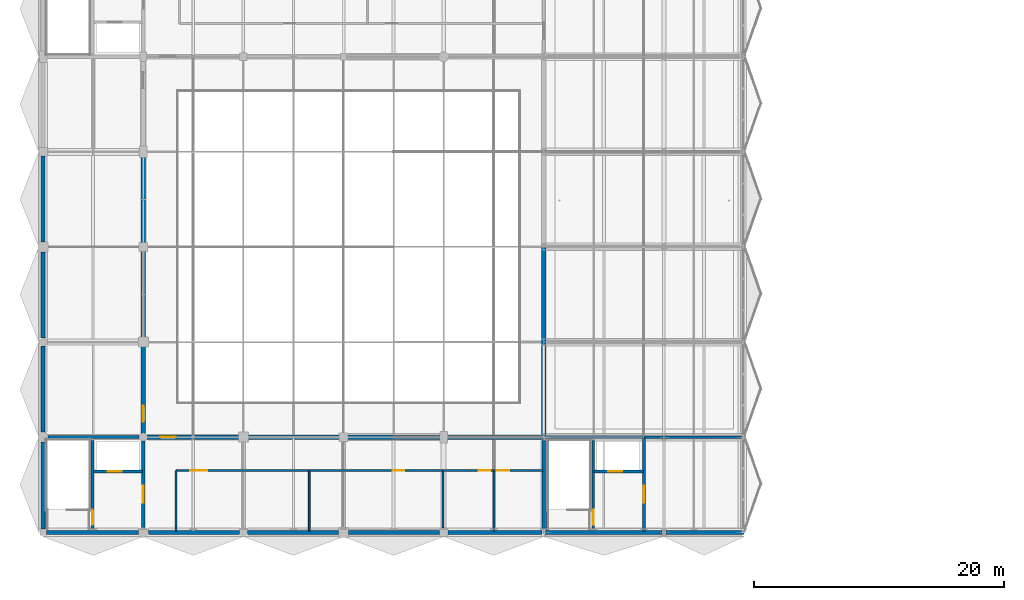
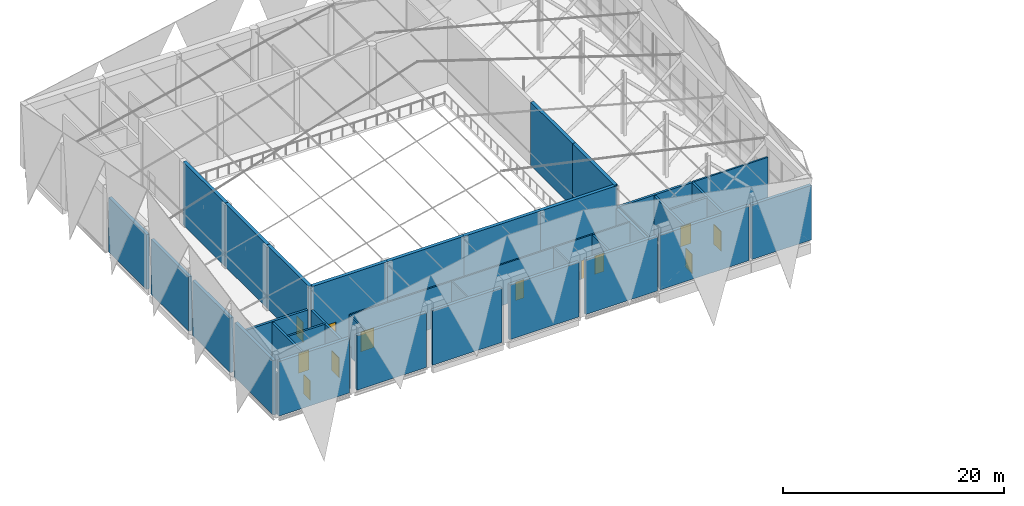
# One storey, part 32 of 46: 40 walls, 12 doors, 12 openings.
"""IFC4 building model written with IfcOpenShell, lengths in metres."""

from ifc_helpers import new_model, si_unit, direction, frame, frame_2d, origin, place, context, subcontext, project, spatial, rectangle, extrude, material, layer, layer_set, type_object, element, fill, save


model = new_model("IFC4")

# Units and contexts
model_context = context("Model", 3, precision=1e-05, world=origin(), true_north=direction((0.0, 1.0)))
body_context = subcontext(model_context, "Body", "Model", "MODEL_VIEW")
ifc_project = project(units=[si_unit("LENGTHUNIT", "METRE"), si_unit("AREAUNIT", "SQUARE_METRE"), si_unit("VOLUMEUNIT", "CUBIC_METRE"), si_unit("PLANEANGLEUNIT", "RADIAN"), si_unit("MASSUNIT", "GRAM", prefix="KILO")], contexts=[model_context])

# Site, building, storey
site_placement = place(None, origin())
site = spatial("IfcSite", under=ifc_project, at=site_placement, CompositionType="ELEMENT")
building_placement = place(site_placement, origin())
building = spatial("IfcBuilding", under=site, at=building_placement, Name="Khelvaren Railside Concert Hall", CompositionType="ELEMENT")
storey_placement = place(building_placement, frame((0.0, 0.0, 19.800048828125)))
storey = spatial("IfcBuildingStorey", under=building, at=storey_placement, Name="L04", CompositionType="ELEMENT", Elevation=19.800048828125)

# Walls
ifc_material_1 = material(Name="Concrete C40/50", Category="concrete")
ifc_layer_1 = layer(ifc_material_1, 0.139892578125)
ifc_layer_set_1 = layer_set([ifc_layer_1], Name="Concrete C40/50")
wall_type_1 = type_object("IfcWallType", Name="CW17", PredefinedType="SOLIDWALL", material=ifc_layer_set_1)
for number, where, z_axis, x_axis, name in (
    (1, (0.27490234375, 0.14990234375, 0.0), (0.0, 0.0, 1.0), (0.0, 1.0, 0.0), "Core Shaft Structural Liner Wall ST-01-L04"),
    (2, (40.27490234375, 0.14990234375, 0.0), (0.0, 0.0, 1.0), (0.0, 1.0, 0.0), "Core Shaft Structural Liner Wall ST-02-L04"),
):
    element("IfcWall", number, at=place(storey_placement, frame(where, z_axis=z_axis, x_axis=x_axis)), inside=storey, type_object=wall_type_1, Name=name, PredefinedType="SOLIDWALL", context=body_context, shape_type="SweptSolid", body=[
        extrude(rectangle(XDim=7.300048828125, YDim=0.139892578125, at=frame_2d((3.64990234375, 0.0))), origin(), (0.0, 0.0, 1.0), 4.5400390625),
    ])
ifc_layer_2 = layer(ifc_material_1, 0.25)
ifc_layer_set_2 = layer_set([ifc_layer_2], Name="Concrete C40/50")
wall_type_2 = type_object("IfcWallType", Name="CW82", PredefinedType="SOLIDWALL", material=ifc_layer_set_2)
wall_1_placement = place(storey_placement, frame((0.39990234375, 7.60009765625, 0.0), z_axis=(0.0, 0.0, 1.0), x_axis=(1.0, 0.0, 0.0)))
element("IfcWall", 3, at=wall_1_placement, inside=storey, type_object=wall_type_2, Name="Core Enclosure Wall CWALL-ST-01-L04-N", PredefinedType="SOLIDWALL", context=body_context, shape_type="SweptSolid", body=[
    extrude(rectangle(XDim=7.275146484375, YDim=0.25, at=frame_2d((3.6376953125, 0.0))), origin(), (0.0, 0.0, 1.0), 4.5400390625),
])

# Wall, opening, door
wall_2_placement = place(storey_placement, frame((8.0, 0.39990234375, 0.0), z_axis=(0.0, 0.0, 1.0), x_axis=(0.0, 1.0, 0.0)))
wall_2 = element("IfcWall", 4, at=wall_2_placement, inside=storey, type_object=wall_type_2, Name="Core Enclosure Wall CWALL-ST-01-L04-E", PredefinedType="SOLIDWALL", context=body_context, shape_type="SweptSolid", body=[
    extrude(rectangle(XDim=6.875, YDim=0.25, at=frame_2d((3.4375, 0.0))), origin(), (0.0, 0.0, 1.0), 4.5400390625),
])
opening_1_placement = place(wall_2_placement, frame((1.949951171875, 0.0, 0.0)))
opening_1 = element("IfcOpeningElement", 5, at=opening_1_placement, cuts=wall_2, Name="Opening FDR34", PredefinedType="OPENING", context=body_context, shape_type="SweptSolid", body=[
    extrude(rectangle(XDim=1.35009765625, YDim=2.199951171875, at=frame_2d((0.675048828125, 1.10009765625))), frame((0.0, 0.135009765625, 0.0), z_axis=(0.0, -1.0, 0.0), x_axis=(1.0, 0.0, 0.0)), (0.0, 0.0, 1.0), 0.27001953125),
])
ifc_material_2 = material(Name="Acoustic fire-rated timber-core steel frame door", Category="steel")
door_type_1 = type_object("IfcDoorType", Name="FDR34", OperationType="NOTDEFINED", PredefinedType="DOOR", material=ifc_material_2)
door_1_placement = place(opening_1_placement, origin())
door_1 = element("IfcDoor", 6, at=door_1_placement, inside=storey, type_object=door_type_1, Name="Interior Door DR-ST-01-L04-LOB", OperationType="SINGLE_SWING_LEFT", OverallHeight=2.199951171875, OverallWidth=1.35009765625, PredefinedType="DOOR", context=body_context, shape_type="SweptSolid", body=[
    extrude(rectangle(XDim=1.35009765625, YDim=2.199951171875, at=frame_2d((0.675048828125, 1.10009765625))), frame((0.0, 0.02490234375, 0.0), z_axis=(0.0, -1.0, 0.0), x_axis=(1.0, 0.0, 0.0)), (0.0, 0.0, 1.0), 0.050048828125),
])
fill(opening_1, door_1)

# Walls
wall_3_placement = place(storey_placement, frame((40.0, 0.25, 0.0), z_axis=(0.0, 0.0, 1.0), x_axis=(0.0, 1.0, 0.0)))
element("IfcWall", 7, at=wall_3_placement, inside=storey, type_object=wall_type_2, Name="Core Enclosure Wall CWALL-ST-02-L04-W", PredefinedType="SOLIDWALL", context=body_context, shape_type="SweptSolid", body=[
    extrude(rectangle(XDim=7.10009765625, YDim=0.25, at=frame_2d((3.550048828125, 0.0))), origin(), (0.0, 0.0, 1.0), 4.5400390625),
])
wall_4_placement = place(storey_placement, frame((40.14990234375, 7.60009765625, 0.0), z_axis=(0.0, 0.0, 1.0), x_axis=(1.0, 0.0, 0.0)))
element("IfcWall", 8, at=wall_4_placement, inside=storey, type_object=wall_type_2, Name="Core Enclosure Wall CWALL-ST-02-L04-N", PredefinedType="SOLIDWALL", context=body_context, shape_type="SweptSolid", body=[
    extrude(rectangle(XDim=7.77001953125, YDim=0.25, at=frame_2d((3.885009765625, 0.0))), origin(), (0.0, 0.0, 1.0), 4.5400390625),
])

# Wall, opening, door
wall_5_placement = place(storey_placement, frame((48.0, 0.080078125, 0.0), z_axis=(0.0, 0.0, 1.0), x_axis=(0.0, 1.0, 0.0)))
wall_5 = element("IfcWall", 9, at=wall_5_placement, inside=storey, type_object=wall_type_2, Name="Core Enclosure Wall CWALL-ST-02-L04-E", PredefinedType="SOLIDWALL", context=body_context, shape_type="SweptSolid", body=[
    extrude(rectangle(XDim=7.43994140625, YDim=0.25, at=frame_2d((3.719970703125, 0.0))), origin(), (0.0, 0.0, 1.0), 4.5400390625),
])
opening_2_placement = place(wall_5_placement, frame((2.27001953125, 0.0, 0.0)))
opening_2 = element("IfcOpeningElement", 10, at=opening_2_placement, cuts=wall_5, Name="Opening FDR34", PredefinedType="OPENING", context=body_context, shape_type="SweptSolid", body=[
    extrude(rectangle(XDim=1.35009765625, YDim=2.199951171875, at=frame_2d((0.675048828125, 1.10009765625))), frame((0.0, 0.135009765625, 0.0), z_axis=(0.0, -1.0, 0.0), x_axis=(1.0, 0.0, 0.0)), (0.0, 0.0, 1.0), 0.27001953125),
])
door_2_placement = place(opening_2_placement, origin())
door_2 = element("IfcDoor", 11, at=door_2_placement, inside=storey, type_object=door_type_1, Name="Interior Door DR-ST-02-L04-LOB", OperationType="SINGLE_SWING_LEFT", OverallHeight=2.199951171875, OverallWidth=1.35009765625, PredefinedType="DOOR", context=body_context, shape_type="SweptSolid", body=[
    extrude(rectangle(XDim=1.35009765625, YDim=2.199951171875, at=frame_2d((0.675048828125, 1.10009765625))), frame((0.0, 0.02490234375, 0.0), z_axis=(0.0, -1.0, 0.0), x_axis=(1.0, 0.0, 0.0)), (0.0, 0.0, 1.0), 0.050048828125),
])
fill(opening_2, door_2)

ifc_layer_3 = layer(ifc_material_1, 0.219970703125)
ifc_layer_set_3 = layer_set([ifc_layer_3], Name="Concrete C40/50")
wall_type_3 = type_object("IfcWallType", Name="CW97", PredefinedType="SOLIDWALL", material=ifc_layer_set_3)
wall_6_placement = place(storey_placement, frame((3.949951171875, 0.25, 0.0), z_axis=(0.0, 0.0, 1.0), x_axis=(0.0, 1.0, 0.0)))
wall_6 = element("IfcWall", 12, at=wall_6_placement, inside=storey, type_object=wall_type_3, Name="Core Enclosure Wall CWALL-ST-01-L04-MID", PredefinedType="SOLIDWALL", context=body_context, shape_type="SweptSolid", body=[
    extrude(rectangle(XDim=7.10009765625, YDim=0.219970703125, at=frame_2d((3.550048828125, 0.0))), origin(), (0.0, 0.0, 1.0), 4.5400390625),
])
opening_3_placement = place(wall_6_placement, frame((0.35009765625, 0.0, 0.0)))
opening_3 = element("IfcOpeningElement", 13, at=opening_3_placement, cuts=wall_6, Name="Opening FDR17", PredefinedType="OPENING", context=body_context, shape_type="SweptSolid", body=[
    extrude(rectangle(XDim=1.199951171875, YDim=2.14990234375, at=frame_2d((0.60009765625, 1.074951171875))), frame((0.0, 0.119873046875, 0.0), z_axis=(0.0, -1.0, 0.0), x_axis=(1.0, 0.0, 0.0)), (0.0, 0.0, 1.0), 0.239990234375),
])
door_type_2 = type_object("IfcDoorType", Name="FDR17", OperationType="NOTDEFINED", PredefinedType="DOOR", material=ifc_material_2)
door_3_placement = place(opening_3_placement, origin())
door_3 = element("IfcDoor", 14, at=door_3_placement, inside=storey, type_object=door_type_2, Name="Interior Door DR-ST-01-L04-ST", OperationType="SINGLE_SWING_RIGHT", OverallHeight=2.14990234375, OverallWidth=1.199951171875, PredefinedType="DOOR", context=body_context, shape_type="SweptSolid", body=[
    extrude(rectangle(XDim=1.199951171875, YDim=2.14990234375, at=frame_2d((0.60009765625, 1.074951171875))), frame((0.0, 0.02490234375, 0.0), z_axis=(0.0, -1.0, 0.0), x_axis=(1.0, 0.0, 0.0)), (0.0, 0.0, 1.0), 0.050048828125),
])
fill(opening_3, door_3)

wall_7_placement = place(storey_placement, frame((4.02001953125, 4.85009765625, 0.0), z_axis=(0.0, 0.0, 1.0), x_axis=(1.0, 0.0, 0.0)))
wall_7 = element("IfcWall", 15, at=wall_7_placement, inside=storey, type_object=wall_type_3, Name="Core Enclosure Wall CWALL-ST-01-L04-SHF", PredefinedType="SOLIDWALL", context=body_context, shape_type="SweptSolid", body=[
    extrude(rectangle(XDim=3.929931640625, YDim=0.219970703125, at=frame_2d((1.96484375, 0.0))), origin(), (0.0, 0.0, 1.0), 4.5400390625),
])
opening_4_placement = place(wall_7_placement, frame((1.14990234375, 0.0, 0.0)))
opening_4 = element("IfcOpeningElement", 16, at=opening_4_placement, cuts=wall_7, Name="Opening LD-PL-06", PredefinedType="OPENING", context=body_context, shape_type="SweptSolid", body=[
    extrude(rectangle(XDim=1.10009765625, YDim=2.199951171875, at=frame_2d((0.550048828125, 1.10009765625))), frame((0.0, 0.119873046875, 0.0), z_axis=(0.0, -1.0, 0.0), x_axis=(1.0, 0.0, 0.0)), (0.0, 0.0, 1.0), 0.239990234375),
])
ifc_material_3 = material(Name="Fire-rated brushed stainless steel landing door", Category="steel")
door_type_3 = type_object("IfcDoorType", Name="LD96", OperationType="DOUBLE_DOOR_SLIDING", PredefinedType="DOOR", material=ifc_material_3)
door_4_placement = place(opening_4_placement, origin())
door_4 = element("IfcDoor", 17, at=door_4_placement, inside=storey, type_object=door_type_3, Name="Lift Landing Door LD-PL-06-L04", OperationType="DOUBLE_DOOR_SLIDING", OverallHeight=2.199951171875, OverallWidth=1.10009765625, PredefinedType="DOOR", context=body_context, shape_type="SweptSolid", body=[
    extrude(rectangle(XDim=1.10009765625, YDim=2.199951171875, at=frame_2d((0.550048828125, 1.10009765625))), frame((0.0, 0.02490234375, 0.0), z_axis=(0.0, -1.0, 0.0), x_axis=(1.0, 0.0, 0.0)), (0.0, 0.0, 1.0), 0.050048828125),
])
fill(opening_4, door_4)

wall_8_placement = place(storey_placement, frame((43.949951171875, 0.25, 0.0), z_axis=(0.0, 0.0, 1.0), x_axis=(0.0, 1.0, 0.0)))
wall_8 = element("IfcWall", 18, at=wall_8_placement, inside=storey, type_object=wall_type_3, Name="Core Enclosure Wall CWALL-ST-02-L04-MID", PredefinedType="SOLIDWALL", context=body_context, shape_type="SweptSolid", body=[
    extrude(rectangle(XDim=7.10009765625, YDim=0.219970703125, at=frame_2d((3.550048828125, 0.0))), origin(), (0.0, 0.0, 1.0), 4.5400390625),
])
opening_5_placement = place(wall_8_placement, frame((0.35009765625, 0.0, 0.0)))
opening_5 = element("IfcOpeningElement", 19, at=opening_5_placement, cuts=wall_8, Name="Opening FDR17", PredefinedType="OPENING", context=body_context, shape_type="SweptSolid", body=[
    extrude(rectangle(XDim=1.199951171875, YDim=2.14990234375, at=frame_2d((0.60009765625, 1.074951171875))), frame((0.0, 0.119873046875, 0.0), z_axis=(0.0, -1.0, 0.0), x_axis=(1.0, 0.0, 0.0)), (0.0, 0.0, 1.0), 0.239990234375),
])
door_5_placement = place(opening_5_placement, origin())
door_5 = element("IfcDoor", 20, at=door_5_placement, inside=storey, type_object=door_type_2, Name="Interior Door DR-ST-02-L04-ST", OperationType="SINGLE_SWING_RIGHT", OverallHeight=2.14990234375, OverallWidth=1.199951171875, PredefinedType="DOOR", context=body_context, shape_type="SweptSolid", body=[
    extrude(rectangle(XDim=1.199951171875, YDim=2.14990234375, at=frame_2d((0.60009765625, 1.074951171875))), frame((0.0, 0.02490234375, 0.0), z_axis=(0.0, -1.0, 0.0), x_axis=(1.0, 0.0, 0.0)), (0.0, 0.0, 1.0), 0.050048828125),
])
fill(opening_5, door_5)

wall_9_placement = place(storey_placement, frame((44.02001953125, 4.85009765625, 0.0), z_axis=(0.0, 0.0, 1.0), x_axis=(1.0, 0.0, 0.0)))
wall_9 = element("IfcWall", 21, at=wall_9_placement, inside=storey, type_object=wall_type_3, Name="Core Enclosure Wall CWALL-ST-02-L04-SHF", PredefinedType="SOLIDWALL", context=body_context, shape_type="SweptSolid", body=[
    extrude(rectangle(XDim=3.929931640625, YDim=0.219970703125, at=frame_2d((1.96484375, 0.0))), origin(), (0.0, 0.0, 1.0), 4.5400390625),
])
opening_6_placement = place(wall_9_placement, frame((1.14990234375, 0.0, 0.0)))
opening_6 = element("IfcOpeningElement", 22, at=opening_6_placement, cuts=wall_9, Name="Opening LD-PL-01", PredefinedType="OPENING", context=body_context, shape_type="SweptSolid", body=[
    extrude(rectangle(XDim=1.10009765625, YDim=2.199951171875, at=frame_2d((0.550048828125, 1.10009765625))), frame((0.0, 0.119873046875, 0.0), z_axis=(0.0, -1.0, 0.0), x_axis=(1.0, 0.0, 0.0)), (0.0, 0.0, 1.0), 0.239990234375),
])
door_6_placement = place(opening_6_placement, origin())
door_6 = element("IfcDoor", 23, at=door_6_placement, inside=storey, type_object=door_type_3, Name="Lift Landing Door LD-PL-01-L04", OperationType="DOUBLE_DOOR_SLIDING", OverallHeight=2.199951171875, OverallWidth=1.10009765625, PredefinedType="DOOR", context=body_context, shape_type="SweptSolid", body=[
    extrude(rectangle(XDim=1.10009765625, YDim=2.199951171875, at=frame_2d((0.550048828125, 1.10009765625))), frame((0.0, 0.02490234375, 0.0), z_axis=(0.0, -1.0, 0.0), x_axis=(1.0, 0.0, 0.0)), (0.0, 0.0, 1.0), 0.050048828125),
])
fill(opening_6, door_6)

# Walls
ifc_material_4 = material(Name="Board-marked architectural concrete C40/50", Category="concrete")
ifc_layer_4 = layer(ifc_material_4, 0.320068359375)
ifc_layer_set_4 = layer_set([ifc_layer_4], Name="Board-marked architectural concrete C40/50")
wall_type_4 = type_object("IfcWallType", Name="EW39", PredefinedType="SOLIDWALL", material=ifc_layer_set_4)
wall_10_placement = place(storey_placement, frame((7.60009765625, 0.0, 0.0), z_axis=(0.0, 0.0, 1.0), x_axis=(-1.0, 0.0, 0.0)))
element("IfcWall", 24, at=wall_10_placement, inside=storey, type_object=wall_type_4, Name="V1 L04 Exterior Concrete Wall S-0", PredefinedType="SOLIDWALL", context=body_context, shape_type="SweptSolid", body=[
    extrude(rectangle(XDim=7.35009765625, YDim=0.320068359375, at=frame_2d((3.675048828125, 0.0))), origin(), (0.0, 0.0, 1.0), 6.050048828125),
])
for number, where, z_axis, x_axis, name in (
    (25, (15.675048828125, 0.0, 0.0), (0.0, 0.0, 1.0), (-1.0, 0.0, 0.0), "V1 L04 Exterior Concrete Wall S-8"),
    (26, (23.60009765625, 0.0, 0.0), (0.0, 0.0, 1.0), (-1.0, 0.0, 0.0), "V1 L04 Exterior Concrete Wall S-16"),
):
    element("IfcWall", number, at=place(storey_placement, frame(where, z_axis=z_axis, x_axis=x_axis)), inside=storey, type_object=wall_type_4, Name=name, PredefinedType="SOLIDWALL", context=body_context, shape_type="SweptSolid", body=[
        extrude(rectangle(XDim=7.275146484375, YDim=0.320068359375, at=frame_2d((3.6376953125, 0.0))), origin(), (0.0, 0.0, 1.0), 6.050048828125),
    ])
wall_11_placement = place(storey_placement, frame((31.64990234375, 0.0, 0.0), z_axis=(0.0, 0.0, 1.0), x_axis=(-1.0, 0.0, 0.0)))
element("IfcWall", 27, at=wall_11_placement, inside=storey, type_object=wall_type_4, Name="V1 L04 Exterior Concrete Wall S-24", PredefinedType="SOLIDWALL", context=body_context, shape_type="SweptSolid", body=[
    extrude(rectangle(XDim=7.25, YDim=0.320068359375, at=frame_2d((3.625, 0.0))), origin(), (0.0, 0.0, 1.0), 6.050048828125),
])
wall_12_placement = place(storey_placement, frame((39.85009765625, 0.0, 0.0), z_axis=(0.0, 0.0, 1.0), x_axis=(-1.0, 0.0, 0.0)))
element("IfcWall", 28, at=wall_12_placement, inside=storey, type_object=wall_type_4, Name="V1 L04 Exterior Concrete Wall S-32", PredefinedType="SOLIDWALL", context=body_context, shape_type="SweptSolid", body=[
    extrude(rectangle(XDim=7.5, YDim=0.320068359375, at=frame_2d((3.75, 0.0))), origin(), (0.0, 0.0, 1.0), 6.050048828125),
])
wall_13_placement = place(storey_placement, frame((49.449951171875, 0.0, 0.0), z_axis=(0.0, 0.0, 1.0), x_axis=(-1.0, 0.0, 0.0)))
element("IfcWall", 29, at=wall_13_placement, inside=storey, type_object=wall_type_4, Name="V1 L04 Exterior Concrete Wall S-40", PredefinedType="SOLIDWALL", context=body_context, shape_type="SweptSolid", body=[
    extrude(rectangle(XDim=9.300048828125, YDim=0.320068359375, at=frame_2d((4.64990234375, 0.0))), origin(), (0.0, 0.0, 1.0), 6.050048828125),
])
wall_14_placement = place(storey_placement, frame((56.0, 0.0, 0.0), z_axis=(0.0, 0.0, 1.0), x_axis=(-1.0, 0.0, 0.0)))
element("IfcWall", 30, at=wall_14_placement, inside=storey, type_object=wall_type_4, Name="V1 L04 Exterior Concrete Wall S-50", PredefinedType="SOLIDWALL", context=body_context, shape_type="SweptSolid", body=[
    extrude(rectangle(XDim=6.25, YDim=0.320068359375, at=frame_2d((3.125, 0.0))), origin(), (0.0, 0.0, 1.0), 6.050048828125),
])
wall_15_placement = place(storey_placement, frame((0.0, 0.25, 0.0), z_axis=(0.0, 0.0, 1.0), x_axis=(0.0, 1.0, 0.0)))
element("IfcWall", 31, at=wall_15_placement, inside=storey, type_object=wall_type_4, Name="V1 L04 Exterior Concrete Wall W-0", PredefinedType="SOLIDWALL", context=body_context, shape_type="SweptSolid", body=[
    extrude(rectangle(XDim=6.949951171875, YDim=0.320068359375, at=frame_2d((3.47509765625, 0.0))), origin(), (0.0, 0.0, 1.0), 6.050048828125),
])
for number, where, z_axis, x_axis, name in (
    (32, (0.0, 8.0, 0.0), (0.0, 0.0, 1.0), (0.0, 1.0, 0.0), "V1 L04 Exterior Concrete Wall W-8"),
    (33, (0.0, 15.52490234375, 0.0), (0.0, 0.0, 1.0), (0.0, 1.0, 0.0), "V1 L04 Exterior Concrete Wall W-15"),
):
    element("IfcWall", number, at=place(storey_placement, frame(where, z_axis=z_axis, x_axis=x_axis)), inside=storey, type_object=wall_type_4, Name=name, PredefinedType="SOLIDWALL", context=body_context, shape_type="SweptSolid", body=[
        extrude(rectangle(XDim=6.875, YDim=0.320068359375, at=frame_2d((3.4375, 0.0))), origin(), (0.0, 0.0, 1.0), 6.050048828125),
    ])
wall_16_placement = place(storey_placement, frame((0.0, 23.199951171875, 0.0), z_axis=(0.0, 0.0, 1.0), x_axis=(0.0, 1.0, 0.0)))
element("IfcWall", 34, at=wall_16_placement, inside=storey, type_object=wall_type_4, Name="V1 L04 Exterior Concrete Wall W-23", PredefinedType="SOLIDWALL", context=body_context, shape_type="SweptSolid", body=[
    extrude(rectangle(XDim=6.85009765625, YDim=0.320068359375, at=frame_2d((3.425048828125, 0.0))), origin(), (0.0, 0.0, 1.0), 6.050048828125),
])

# Wall, opening, door
ifc_material_5 = material(Name="Acoustic double-stud gypsum partition", Category="gypsum")
ifc_layer_5 = layer(ifc_material_5, 0.159912109375)
ifc_layer_set_5 = layer_set([ifc_layer_5], Name="Acoustic double-stud gypsum partition")
wall_type_5 = type_object("IfcWallType", Name="PT19", PredefinedType="PARTITIONING", material=ifc_layer_set_5)
wall_17_placement = place(storey_placement, frame((10.60009765625, 4.949951171875, 0.0), z_axis=(0.0, 0.0, 1.0), x_axis=(1.0, 0.0, 0.0)))
wall_17 = element("IfcWall", 35, at=wall_17_placement, inside=storey, type_object=wall_type_5, Name="Acoustic Partition Wall PW-V1-L04-S4-C01", PredefinedType="PARTITIONING", context=body_context, shape_type="SweptSolid", body=[
    extrude(rectangle(XDim=10.669921875, YDim=0.159912109375, at=frame_2d((5.3349609375, 0.0))), origin(), (0.0, 0.0, 1.0), 4.5400390625),
])
opening_7_placement = place(wall_17_placement, frame((1.14306640625, 0.0, 0.0)))
opening_7 = element("IfcOpeningElement", 36, at=opening_7_placement, cuts=wall_17, Name="Opening IDR82", PredefinedType="OPENING", context=body_context, shape_type="SweptSolid", body=[
    extrude(rectangle(XDim=1.3798828125, YDim=2.199951171875, at=frame_2d((0.68994140625, 1.10009765625))), frame((0.0, 0.08984375, 0.0), z_axis=(0.0, -1.0, 0.0), x_axis=(1.0, 0.0, 0.0)), (0.0, 0.0, 1.0), 0.179931640625),
])
ifc_material_6 = material(Name="Solid oak acoustic studio door", Category="wood")
door_type_4 = type_object("IfcDoorType", Name="IDR82", OperationType="NOTDEFINED", PredefinedType="DOOR", material=ifc_material_6)
door_7_placement = place(opening_7_placement, origin())
door_7 = element("IfcDoor", 37, at=door_7_placement, inside=storey, type_object=door_type_4, Name="Interior Door DR-V1-L04-S4-01", OperationType="SINGLE_SWING_LEFT", OverallHeight=2.199951171875, OverallWidth=1.3798828125, PredefinedType="DOOR", context=body_context, shape_type="SweptSolid", body=[
    extrude(rectangle(XDim=1.3798828125, YDim=2.199951171875, at=frame_2d((0.68994140625, 1.10009765625))), frame((0.0, 0.02490234375, 0.0), z_axis=(0.0, -1.0, 0.0), x_axis=(1.0, 0.0, 0.0)), (0.0, 0.0, 1.0), 0.050048828125),
])
fill(opening_7, door_7)

wall_18_placement = place(storey_placement, frame((21.27001953125, 4.949951171875, 0.0), z_axis=(0.0, 0.0, 1.0), x_axis=(1.0, 0.0, 0.0)))
wall_18 = element("IfcWall", 38, at=wall_18_placement, inside=storey, type_object=wall_type_5, Name="Acoustic Partition Wall PW-V1-L04-S4-C02", PredefinedType="PARTITIONING", context=body_context, shape_type="SweptSolid", body=[
    extrude(rectangle(XDim=10.669921875, YDim=0.159912109375, at=frame_2d((5.3349609375, 0.0))), origin(), (0.0, 0.0, 1.0), 4.5400390625),
])
opening_8_placement = place(wall_18_placement, frame((6.680908203125, 0.0, 0.0)))
opening_8 = element("IfcOpeningElement", 39, at=opening_8_placement, cuts=wall_18, Name="Opening IDR59", PredefinedType="OPENING", context=body_context, shape_type="SweptSolid", body=[
    extrude(rectangle(XDim=0.89990234375, YDim=2.050048828125, at=frame_2d((0.449951171875, 1.02490234375))), frame((0.0, 0.08984375, 0.0), z_axis=(0.0, -1.0, 0.0), x_axis=(1.0, 0.0, 0.0)), (0.0, 0.0, 1.0), 0.179931640625),
])
door_type_5 = type_object("IfcDoorType", Name="IDR59", OperationType="NOTDEFINED", PredefinedType="DOOR", material=ifc_material_6)
door_8_placement = place(opening_8_placement, origin())
door_8 = element("IfcDoor", 40, at=door_8_placement, inside=storey, type_object=door_type_5, Name="Interior Door DR-V1-L04-S4-02", OperationType="SINGLE_SWING_RIGHT", OverallHeight=2.050048828125, OverallWidth=0.89990234375, PredefinedType="DOOR", context=body_context, shape_type="SweptSolid", body=[
    extrude(rectangle(XDim=0.89990234375, YDim=2.050048828125, at=frame_2d((0.449951171875, 1.02490234375))), frame((0.0, 0.02490234375, 0.0), z_axis=(0.0, -1.0, 0.0), x_axis=(1.0, 0.0, 0.0)), (0.0, 0.0, 1.0), 0.050048828125),
])
fill(opening_8, door_8)

wall_19_placement = place(storey_placement, frame((31.93994140625, 4.949951171875, 0.0), z_axis=(0.0, 0.0, 1.0), x_axis=(1.0, 0.0, 0.0)))
wall_19 = element("IfcWall", 41, at=wall_19_placement, inside=storey, type_object=wall_type_5, Name="Acoustic Partition Wall PW-V1-L04-S4-C03", PredefinedType="PARTITIONING", context=body_context, shape_type="SweptSolid", body=[
    extrude(rectangle(XDim=4.0830078125, YDim=0.159912109375, at=frame_2d((2.04150390625, 0.0))), origin(), (0.0, 0.0, 1.0), 4.5400390625),
])
opening_9_placement = place(wall_19_placement, frame((2.863037109375, 0.0, 0.0)))
opening_9 = element("IfcOpeningElement", 42, at=opening_9_placement, cuts=wall_19, Name="Opening IDR92", PredefinedType="OPENING", context=body_context, shape_type="SweptSolid", body=[
    extrude(rectangle(XDim=0.93994140625, YDim=2.050048828125, at=frame_2d((0.469970703125, 1.02490234375))), frame((0.0, 0.08984375, 0.0), z_axis=(0.0, -1.0, 0.0), x_axis=(1.0, 0.0, 0.0)), (0.0, 0.0, 1.0), 0.179931640625),
])
door_type_6 = type_object("IfcDoorType", Name="IDR92", OperationType="NOTDEFINED", PredefinedType="DOOR", material=ifc_material_6)
door_9_placement = place(opening_9_placement, origin())
door_9 = element("IfcDoor", 43, at=door_9_placement, inside=storey, type_object=door_type_6, Name="Interior Door DR-V1-L04-S4-03", OperationType="SINGLE_SWING_LEFT", OverallHeight=2.050048828125, OverallWidth=0.93994140625, PredefinedType="DOOR", context=body_context, shape_type="SweptSolid", body=[
    extrude(rectangle(XDim=0.93994140625, YDim=2.050048828125, at=frame_2d((0.469970703125, 1.02490234375))), frame((0.0, 0.02490234375, 0.0), z_axis=(0.0, -1.0, 0.0), x_axis=(1.0, 0.0, 0.0)), (0.0, 0.0, 1.0), 0.050048828125),
])
fill(opening_9, door_9)

wall_20_placement = place(storey_placement, frame((36.02294921875, 4.949951171875, 0.0), z_axis=(0.0, 0.0, 1.0), x_axis=(1.0, 0.0, 0.0)))
wall_20 = element("IfcWall", 44, at=wall_20_placement, inside=storey, type_object=wall_type_5, Name="Acoustic Partition Wall PW-V1-L04-S4-C04", PredefinedType="PARTITIONING", context=body_context, shape_type="SweptSolid", body=[
    extrude(rectangle(XDim=3.89697265625, YDim=0.159912109375, at=frame_2d((1.948486328125, 0.0))), origin(), (0.0, 0.0, 1.0), 4.5400390625),
])
opening_10_placement = place(wall_20_placement, frame((0.219970703125, 0.0, 0.0)))
opening_10 = element("IfcOpeningElement", 45, at=opening_10_placement, cuts=wall_20, Name="Opening IDR23", PredefinedType="OPENING", context=body_context, shape_type="SweptSolid", body=[
    extrude(rectangle(XDim=0.97998046875, YDim=2.050048828125, at=frame_2d((0.489990234375, 1.02490234375))), frame((0.0, 0.08984375, 0.0), z_axis=(0.0, -1.0, 0.0), x_axis=(1.0, 0.0, 0.0)), (0.0, 0.0, 1.0), 0.179931640625),
])
door_type_7 = type_object("IfcDoorType", Name="IDR23", OperationType="NOTDEFINED", PredefinedType="DOOR", material=ifc_material_6)
door_10_placement = place(opening_10_placement, origin())
door_10 = element("IfcDoor", 46, at=door_10_placement, inside=storey, type_object=door_type_7, Name="Interior Door DR-V1-L04-S4-04", OperationType="SINGLE_SWING_RIGHT", OverallHeight=2.050048828125, OverallWidth=0.97998046875, PredefinedType="DOOR", context=body_context, shape_type="SweptSolid", body=[
    extrude(rectangle(XDim=0.97998046875, YDim=2.050048828125, at=frame_2d((0.489990234375, 1.02490234375))), frame((0.0, 0.02490234375, 0.0), z_axis=(0.0, -1.0, 0.0), x_axis=(1.0, 0.0, 0.0)), (0.0, 0.0, 1.0), 0.050048828125),
])
fill(opening_10, door_10)

# Walls
wall_21_placement = place(storey_placement, frame((10.60009765625, 0.080078125, 0.0), z_axis=(0.0, 0.0, 1.0), x_axis=(0.0, 1.0, 0.0)))
element("IfcWall", 47, at=wall_21_placement, inside=storey, type_object=wall_type_5, Name="Acoustic Partition Wall PW-V1-L04-S4-W0", PredefinedType="PARTITIONING", context=body_context, shape_type="SweptSolid", body=[
    extrude(rectangle(XDim=4.869873046875, YDim=0.159912109375, at=frame_2d((2.43505859375, 0.0))), origin(), (0.0, 0.0, 1.0), 4.5400390625),
])
ifc_layer_6 = layer(ifc_material_5, 0.139892578125)
ifc_layer_set_6 = layer_set([ifc_layer_6], Name="Acoustic double-stud gypsum partition")
wall_type_6 = type_object("IfcWallType", Name="PT41", PredefinedType="PARTITIONING", material=ifc_layer_set_6)
wall_22_placement = place(storey_placement, frame((21.27001953125, 0.080078125, 0.0), z_axis=(0.0, 0.0, 1.0), x_axis=(0.0, 1.0, 0.0)))
element("IfcWall", 48, at=wall_22_placement, inside=storey, type_object=wall_type_6, Name="Acoustic Partition Wall PW-V1-L04-S4-D01", PredefinedType="PARTITIONING", context=body_context, shape_type="SweptSolid", body=[
    extrude(rectangle(XDim=4.869873046875, YDim=0.139892578125, at=frame_2d((2.43505859375, 0.0))), origin(), (0.0, 0.0, 1.0), 4.5400390625),
])
ifc_layer_7 = layer(ifc_material_5, 0.179931640625)
ifc_layer_set_7 = layer_set([ifc_layer_7], Name="Acoustic double-stud gypsum partition")
wall_type_7 = type_object("IfcWallType", Name="PT46", PredefinedType="PARTITIONING", material=ifc_layer_set_7)
wall_23_placement = place(storey_placement, frame((48.0, 7.60009765625, 0.0), z_axis=(0.0, 0.0, 1.0), x_axis=(1.0, 0.0, 0.0)))
element("IfcWall", 49, at=wall_23_placement, inside=storey, type_object=wall_type_7, Name="Acoustic Partition Wall PW-V1-L04-EAST-S", PredefinedType="PARTITIONING", context=body_context, shape_type="SweptSolid", body=[
    extrude(rectangle(XDim=7.8798828125, YDim=0.179931640625, at=frame_2d((3.93994140625, 0.0))), origin(), (0.0, 0.0, 1.0), 4.5400390625),
])
ifc_layer_8 = layer(ifc_material_5, 0.179931640625)
ifc_layer_set_8 = layer_set([ifc_layer_8], Name="Acoustic double-stud gypsum partition")
wall_type_8 = type_object("IfcWallType", Name="PT53", PredefinedType="PARTITIONING", material=ifc_layer_set_8)
wall_24_placement = place(storey_placement, frame((36.02294921875, 0.080078125, 0.0), z_axis=(0.0, 0.0, 1.0), x_axis=(0.0, 1.0, 0.0)))
element("IfcWall", 50, at=wall_24_placement, inside=storey, type_object=wall_type_8, Name="Acoustic Partition Wall PW-V1-L04-S4-D03", PredefinedType="PARTITIONING", context=body_context, shape_type="SweptSolid", body=[
    extrude(rectangle(XDim=4.869873046875, YDim=0.179931640625, at=frame_2d((2.43505859375, 0.0))), origin(), (0.0, 0.0, 1.0), 4.5400390625),
])
ifc_layer_9 = layer(ifc_material_5, 0.159912109375)
ifc_layer_set_9 = layer_set([ifc_layer_9], Name="Acoustic double-stud gypsum partition")
wall_type_9 = type_object("IfcWallType", Name="PT97", PredefinedType="PARTITIONING", material=ifc_layer_set_9)
wall_25_placement = place(storey_placement, frame((31.93994140625, 0.35009765625, 0.0), z_axis=(0.0, 0.0, 1.0), x_axis=(0.0, 1.0, 0.0)))
element("IfcWall", 51, at=wall_25_placement, inside=storey, type_object=wall_type_9, Name="Acoustic Partition Wall PW-V1-L04-S4-D02", PredefinedType="PARTITIONING", context=body_context, shape_type="SweptSolid", body=[
    extrude(rectangle(XDim=4.599853515625, YDim=0.159912109375, at=frame_2d((2.2998046875, 0.0))), origin(), (0.0, 0.0, 1.0), 4.5400390625),
])

# Wall, opening, door
ifc_layer_10 = layer(ifc_material_1, 0.35009765625)
ifc_layer_set_10 = layer_set([ifc_layer_10], Name="Concrete C40/50")
wall_type_10 = type_object("IfcWallType", Name="SW91", PredefinedType="SHEAR", material=ifc_layer_set_10)
wall_26_placement = place(storey_placement, frame((8.0, 7.60009765625, 0.0), z_axis=(0.0, 0.0, 1.0), x_axis=(1.0, 0.0, 0.0)))
wall_26 = element("IfcWall", 52, at=wall_26_placement, inside=storey, type_object=wall_type_10, Name="V1 Acoustic Box Shear Wall L04 S1", PredefinedType="SHEAR", context=body_context, shape_type="SweptSolid", body=[
    extrude(rectangle(XDim=8.0, YDim=0.35009765625, at=frame_2d((4.0, 0.0))), origin(), (0.0, 0.0, 1.0), 7.0),
])
opening_11_placement = place(wall_26_placement, frame((1.35009765625, 0.0, 0.0)))
opening_11 = element("IfcOpeningElement", 53, at=opening_11_placement, cuts=wall_26, Name="Opening ADR42", PredefinedType="OPENING", context=body_context, shape_type="SweptSolid", body=[
    extrude(rectangle(XDim=1.25, YDim=2.199951171875, at=frame_2d((0.625, 1.10009765625))), frame((0.0, 0.18505859375, 0.0), z_axis=(0.0, -1.0, 0.0), x_axis=(1.0, 0.0, 0.0)), (0.0, 0.0, 1.0), 0.3701171875),
])
ifc_material_7 = material(Name="Heavy acoustic double sound-lock fire door", Category="wood")
door_type_8 = type_object("IfcDoorType", Name="ADR42", OperationType="DOUBLE_DOOR_SINGLE_SWING", PredefinedType="DOOR", material=ifc_material_7)
door_11_placement = place(opening_11_placement, origin())
door_11 = element("IfcDoor", 54, at=door_11_placement, inside=storey, type_object=door_type_8, Name="Main Concert Hall Acoustic Sound-Lock Door L04-S1", OperationType="DOUBLE_DOOR_SINGLE_SWING", OverallHeight=2.199951171875, OverallWidth=1.25, PredefinedType="DOOR", context=body_context, shape_type="SweptSolid", body=[
    extrude(rectangle(XDim=1.25, YDim=2.199951171875, at=frame_2d((0.625, 1.10009765625))), frame((0.0, 0.02490234375, 0.0), z_axis=(0.0, -1.0, 0.0), x_axis=(1.0, 0.0, 0.0)), (0.0, 0.0, 1.0), 0.050048828125),
])
fill(opening_11, door_11)

# Walls
for number, where, z_axis, x_axis, name in (
    (55, (16.0, 7.60009765625, 0.0), (0.0, 0.0, 1.0), (1.0, 0.0, 0.0), "V1 Acoustic Box Shear Wall L04 S2"),
    (56, (24.0, 7.60009765625, 0.0), (0.0, 0.0, 1.0), (1.0, 0.0, 0.0), "V1 Acoustic Box Shear Wall L04 S3"),
    (57, (32.0, 7.60009765625, 0.0), (0.0, 0.0, 1.0), (1.0, 0.0, 0.0), "V1 Acoustic Box Shear Wall L04 S4"),
):
    element("IfcWall", number, at=place(storey_placement, frame(where, z_axis=z_axis, x_axis=x_axis)), inside=storey, type_object=wall_type_10, Name=name, PredefinedType="SHEAR", context=body_context, shape_type="SweptSolid", body=[
        extrude(rectangle(XDim=8.0, YDim=0.35009765625, at=frame_2d((4.0, 0.0))), origin(), (0.0, 0.0, 1.0), 7.0),
    ])

# Wall, opening, door
wall_27_placement = place(storey_placement, frame((8.0, 7.60009765625, 0.0), z_axis=(0.0, 0.0, 1.0), x_axis=(0.0, 1.0, 0.0)))
wall_27 = element("IfcWall", 58, at=wall_27_placement, inside=storey, type_object=wall_type_10, Name="V1 Acoustic Box Shear Wall L04 W1", PredefinedType="SHEAR", context=body_context, shape_type="SweptSolid", body=[
    extrude(rectangle(XDim=7.599853515625, YDim=0.35009765625, at=frame_2d((3.7998046875, 0.0))), origin(), (0.0, 0.0, 1.0), 7.0),
])
opening_12_placement = place(wall_27_placement, frame((1.25, 0.0, 0.0)))
opening_12 = element("IfcOpeningElement", 59, at=opening_12_placement, cuts=wall_27, Name="Opening ADR42", PredefinedType="OPENING", context=body_context, shape_type="SweptSolid", body=[
    extrude(rectangle(XDim=1.25, YDim=2.199951171875, at=frame_2d((0.625, 1.10009765625))), frame((0.0, 0.18505859375, 0.0), z_axis=(0.0, -1.0, 0.0), x_axis=(1.0, 0.0, 0.0)), (0.0, 0.0, 1.0), 0.3701171875),
])
door_12_placement = place(opening_12_placement, origin())
door_12 = element("IfcDoor", 60, at=door_12_placement, inside=storey, type_object=door_type_8, Name="Main Concert Hall Acoustic Sound-Lock Door L04-W1", OperationType="DOUBLE_DOOR_SINGLE_SWING", OverallHeight=2.199951171875, OverallWidth=1.25, PredefinedType="DOOR", context=body_context, shape_type="SweptSolid", body=[
    extrude(rectangle(XDim=1.25, YDim=2.199951171875, at=frame_2d((0.625, 1.10009765625))), frame((0.0, 0.02490234375, 0.0), z_axis=(0.0, -1.0, 0.0), x_axis=(1.0, 0.0, 0.0)), (0.0, 0.0, 1.0), 0.050048828125),
])
fill(opening_12, door_12)

# Walls
wall_28_placement = place(storey_placement, frame((8.0, 15.199951171875, 0.0), z_axis=(0.0, 0.0, 1.0), x_axis=(0.0, 1.0, 0.0)))
element("IfcWall", 61, at=wall_28_placement, inside=storey, type_object=wall_type_10, Name="V1 Acoustic Box Shear Wall L04 W2", PredefinedType="SHEAR", context=body_context, shape_type="SweptSolid", body=[
    extrude(rectangle(XDim=7.60009765625, YDim=0.35009765625, at=frame_2d((3.800048828125, 0.0))), origin(), (0.0, 0.0, 1.0), 7.0),
])
for number, where, z_axis, x_axis, name in (
    (62, (8.0, 22.800048828125, 0.0), (0.0, 0.0, 1.0), (0.0, 1.0, 0.0), "V1 Acoustic Box Shear Wall L04 W3"),
    (63, (40.0, 7.60009765625, 0.0), (0.0, 0.0, 1.0), (0.0, 1.0, 0.0), "V1 Acoustic Box Shear Wall L04 E1"),
):
    element("IfcWall", number, at=place(storey_placement, frame(where, z_axis=z_axis, x_axis=x_axis)), inside=storey, type_object=wall_type_10, Name=name, PredefinedType="SHEAR", context=body_context, shape_type="SweptSolid", body=[
        extrude(rectangle(XDim=7.599853515625, YDim=0.35009765625, at=frame_2d((3.7998046875, 0.0))), origin(), (0.0, 0.0, 1.0), 7.0),
    ])
wall_29_placement = place(storey_placement, frame((40.0, 15.199951171875, 0.0), z_axis=(0.0, 0.0, 1.0), x_axis=(0.0, 1.0, 0.0)))
element("IfcWall", 64, at=wall_29_placement, inside=storey, type_object=wall_type_10, Name="V1 Acoustic Box Shear Wall L04 E2", PredefinedType="SHEAR", context=body_context, shape_type="SweptSolid", body=[
    extrude(rectangle(XDim=7.60009765625, YDim=0.35009765625, at=frame_2d((3.800048828125, 0.0))), origin(), (0.0, 0.0, 1.0), 7.0),
])

save(model, "model.ifc")
